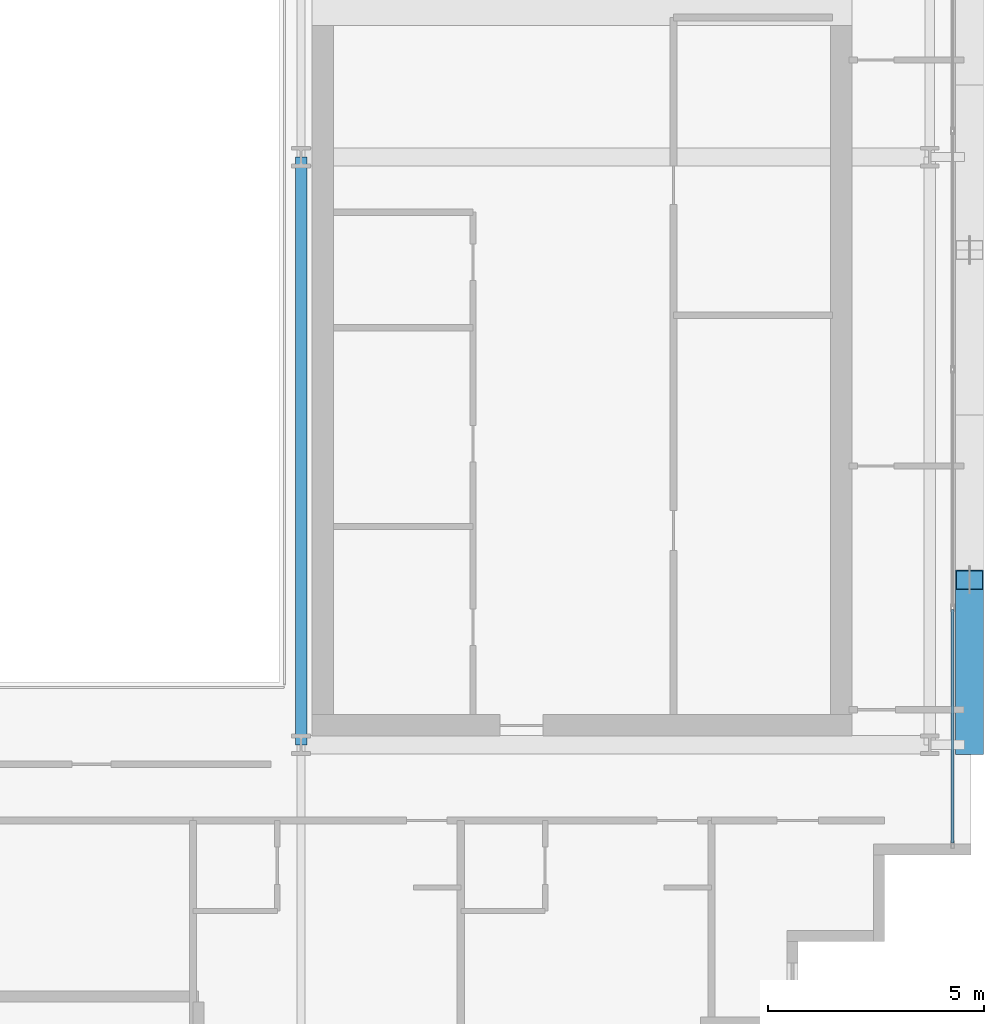
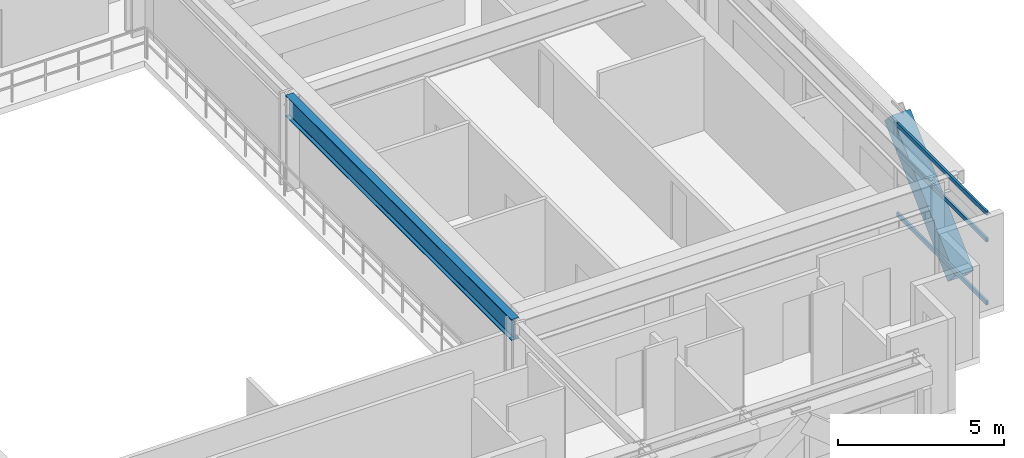
# One storey, part 11 of 31: 4 members, 1 beam, 1 element without a shape of its own.
"""IFC4 building model written with IfcOpenShell, lengths in metres."""

from ifc_helpers import new_model, si_unit, direction, frame, origin, origin_2d, place, context, subcontext, project, spatial, hollow_rectangle, i_section, extrude, source, transform, mapped, material, layer, layer_set, material_profile, profile_set, type_object, element, aggregate, save


model = new_model("IFC4")

# Units and contexts
model_context = context("Model", 3, precision=1e-05, world=origin(), true_north=direction((0.0, 1.0)))
body_context = subcontext(model_context, "Body", "Model", "MODEL_VIEW")
ifc_project = project(units=[si_unit("LENGTHUNIT", "METRE"), si_unit("AREAUNIT", "SQUARE_METRE"), si_unit("VOLUMEUNIT", "CUBIC_METRE"), si_unit("PLANEANGLEUNIT", "RADIAN"), si_unit("MASSUNIT", "GRAM", prefix="KILO")], contexts=[model_context])

# Site, building, storey
site_placement = place(None, origin())
site = spatial("IfcSite", under=ifc_project, at=site_placement, CompositionType="ELEMENT")
building_placement = place(site_placement, origin())
building = spatial("IfcBuilding", under=site, at=building_placement, Name="Ocotamira Hotel", CompositionType="ELEMENT")
storey_placement = place(building_placement, frame((0.0, 0.0, 174.0)))
storey = spatial("IfcBuildingStorey", under=building, at=storey_placement, Name="L43", CompositionType="ELEMENT", Elevation=174.0)

# Beam
ifc_material_1 = material(Name="Steel ASTM A992 Grade 50", Category="steel")
ifc_material_profile_1 = material_profile(ifc_material_1, i_section(OverallWidth=0.26611328125, OverallDepth=0.779052734375, WebThickness=0.0166015625, FlangeThickness=0.030029296875, FilletRadius=0.01806640625, at=origin_2d()), Name="W30X148")
ifc_profile_set_1 = profile_set([ifc_material_profile_1], Name="Steel ASTM A992 Grade 50")
beam_type = type_object("IfcBeamType", Name="BM-GIRD-W30X148", PredefinedType="BEAM", material=ifc_profile_set_1)
shared_shape_1 = source(origin(), body_context, "Body", "SweptSolid", [
    extrude(i_section(OverallWidth=0.26611328125, OverallDepth=0.779052734375, WebThickness=0.0166015625, FlangeThickness=0.030029296875, FilletRadius=0.01806640625, at=origin_2d()), origin(), (0.0, 0.0, 1.0), 13.599853515625),
])
beam_placement = place(storey_placement, frame((40.5, 14.550048828125, 2.98046875), z_axis=(0.0, 1.0, 0.0), x_axis=(-1.0, 0.0, 0.0)))
element("IfcBeam", 1, at=beam_placement, inside=storey, type_object=beam_type, Name="L43 Beam X40.5 Y14.55-28.15", PredefinedType="BEAM", context=body_context, shape_type="MappedRepresentation", body=[
    mapped(shared_shape_1, transform((0.0, 0.0, 0.0), scale=1.0)),
])

# Member
ifc_material_2 = material(Name="Pale-metal coated steel ASTM A913 Grade 65", Category="steel")
ifc_material_profile_2 = material_profile(ifc_material_2, hollow_rectangle(XDim=0.64990234375, YDim=0.64990234375, WallThickness=0.02197265625, at=origin_2d()), Name="BOX650X650X22")
ifc_profile_set_2 = profile_set([ifc_material_profile_2], Name="Pale-metal coated steel ASTM A913 Grade 65")
member_type_1 = type_object("IfcMemberType", Name="MEM-EXO-BOX650", PredefinedType="BRACE", material=ifc_profile_set_2)
shared_shape_2 = source(origin(), body_context, "Body", "SweptSolid", [
    extrude(hollow_rectangle(XDim=0.64990234375, YDim=0.64990234375, WallThickness=0.02197265625, at=origin_2d()), origin(), (0.0, 0.0, 1.0), 5.24658203125),
])
member_1_placement = place(storey_placement, frame((55.969970703125, 14.550048828125, -0.47998046875), z_axis=(0.0, 0.727442733726, 0.686168397078), x_axis=(-1.0, 0.0, 0.0)))
element("IfcMember", 2, at=member_1_placement, inside=storey, type_object=member_type_1, Name="L43 Exoskeleton Diagrid E0.1", PredefinedType="BRACE", context=body_context, shape_type="MappedRepresentation", body=[
    mapped(shared_shape_2, transform((0.0, 0.0, 0.0), scale=1.0)),
])

# Curtain wall, members
ifc_material_3 = material(Name="Anodised pale-metal aluminium and solar glass", Category="aluminium")
ifc_layer = layer(ifc_material_3, 0.199951171875)
ifc_layer_set = layer_set([ifc_layer], Name="Anodised pale-metal aluminium and solar glass")
curtain_wall_type = type_object("IfcCurtainWallType", Name="CW-SYS4-Z3", PredefinedType="NOTDEFINED", material=ifc_layer_set)
curtain_wall_placement = place(storey_placement, origin())
curtain_wall = element("IfcCurtainWall", 3, at=curtain_wall_placement, inside=storey, type_object=curtain_wall_type, Name="L43 Curtain Wall CW-4 CW-L43-E", PredefinedType="NOTDEFINED")
ifc_material_4 = material(Name="Anodised pale-metal aluminium 6063-T6", Category="aluminium")
ifc_material_profile_3 = material_profile(ifc_material_4, hollow_rectangle(XDim=0.074951171875, YDim=0.14990234375, WallThickness=0.006103515625, at=origin_2d()), Name="HSS150X75X6")
ifc_profile_set_3 = profile_set([ifc_material_profile_3], Name="Anodised pale-metal aluminium 6063-T6")
member_type_2 = type_object("IfcMemberType", Name="CWT-150X75", PredefinedType="USERDEFINED", material=ifc_profile_set_3)
shared_shape_3 = source(origin(), body_context, "Body", "SweptSolid", [
    extrude(hollow_rectangle(XDim=0.074951171875, YDim=0.14990234375, WallThickness=0.006103515625, at=origin_2d()), origin(), (0.0, 0.0, 1.0), 5.39990234375),
])
member_2_placement = place(storey_placement, frame((55.580078125, 12.280029296875, 0.03759765625), z_axis=(0.0, 1.0, 0.0), x_axis=(-1.0, 0.0, 0.0)))
member_2 = element("IfcMember", 4, at=member_2_placement, type_object=member_type_2, Name="CW-4 transom 1.1", ObjectType="TRANSOM", PredefinedType="USERDEFINED", context=body_context, shape_type="MappedRepresentation", body=[
    mapped(shared_shape_3, transform((0.0, 0.0, 0.0), scale=1.0)),
])
member_3_placement = place(storey_placement, frame((55.580078125, 12.280029296875, 2.35009765625), z_axis=(0.0, 1.0, 0.0), x_axis=(-1.0, 0.0, 0.0)))
member_3 = element("IfcMember", 5, at=member_3_placement, type_object=member_type_2, Name="CW-4 transom 1.2", ObjectType="TRANSOM", PredefinedType="USERDEFINED", context=body_context, shape_type="MappedRepresentation", body=[
    mapped(shared_shape_3, transform((0.0, 0.0, 0.0), scale=1.0)),
])
member_4_placement = place(storey_placement, frame((55.580078125, 12.280029296875, 3.33251953125), z_axis=(0.0, 1.0, 0.0), x_axis=(-1.0, 0.0, 0.0)))
member_4 = element("IfcMember", 6, at=member_4_placement, type_object=member_type_2, Name="CW-4 transom 1.3", ObjectType="TRANSOM", PredefinedType="USERDEFINED", context=body_context, shape_type="MappedRepresentation", body=[
    mapped(shared_shape_3, transform((0.0, 0.0, 0.0), scale=1.0)),
])
aggregate(curtain_wall, [member_2, member_3, member_4])

save(model, "model.ifc")
